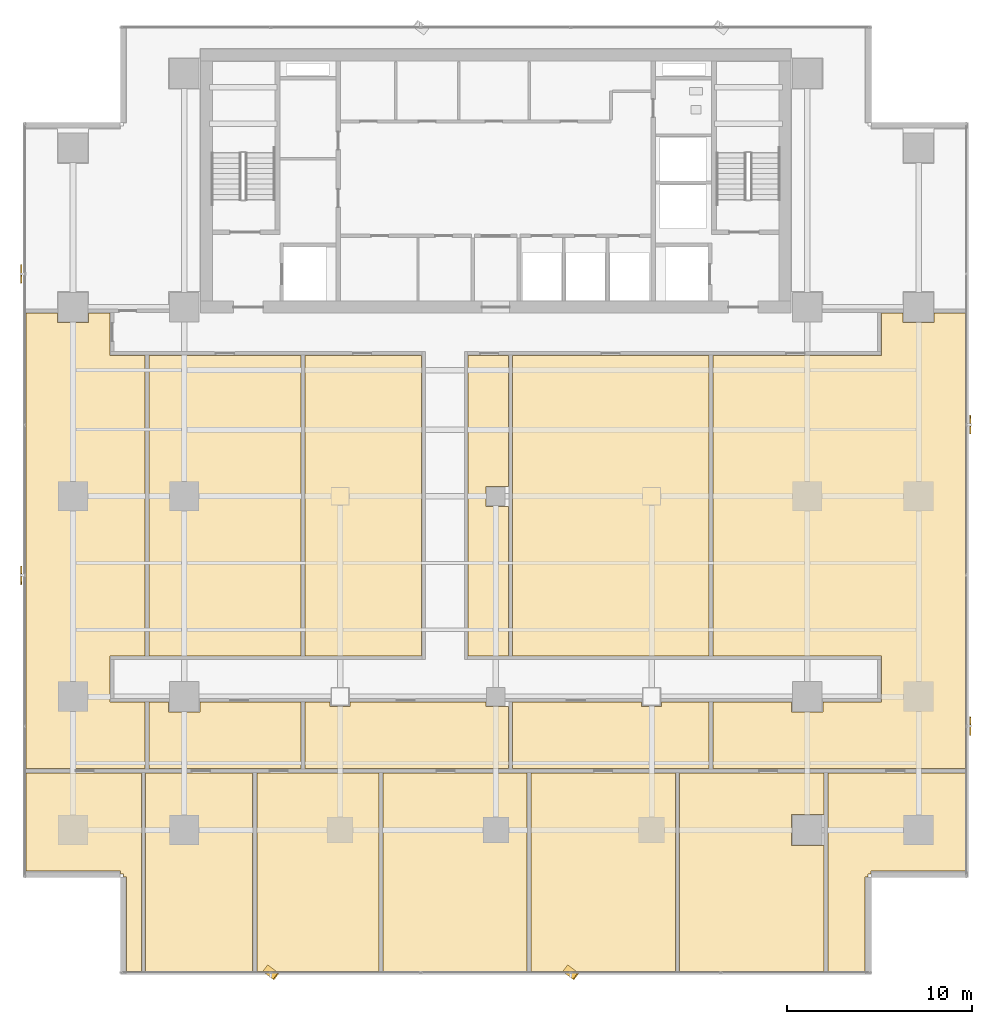
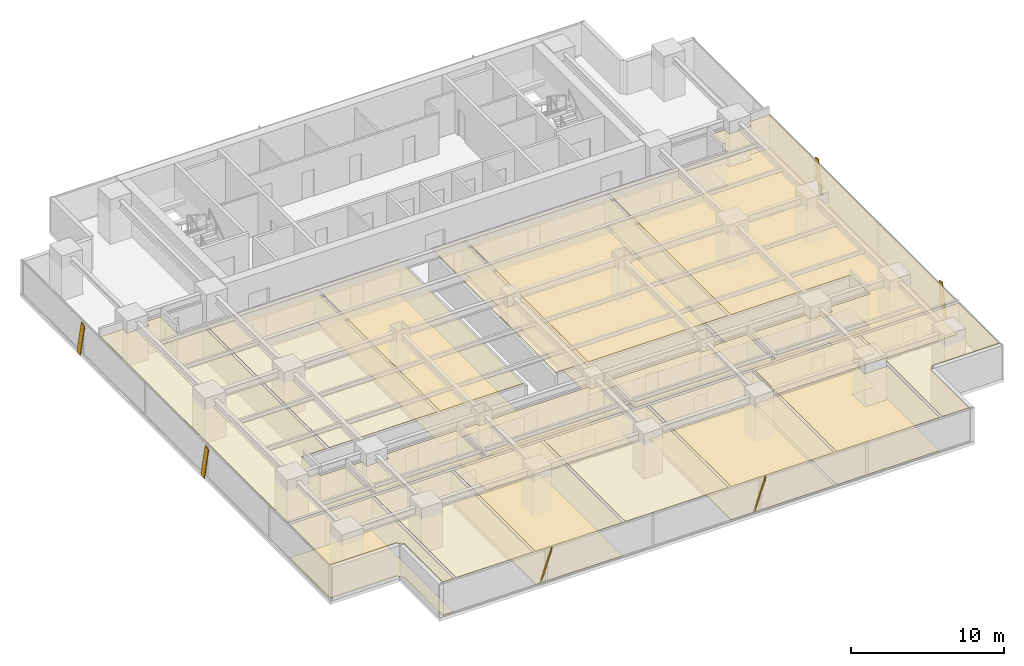
# One storey, part 32 of 36: 24 coverings, 6 shading devices.
"""IFC4 building model written with IfcOpenShell, lengths in metres."""

from ifc_helpers import new_model, si_unit, direction, frame, origin, origin_2d, place, context, subcontext, project, spatial, polyline, rectangle, outline, extrude, source, transform, mapped, material, layer, layer_set, material_profile, profile_set, type_object, element, save


model = new_model("IFC4")

# Units and contexts
model_context = context("Model", 3, precision=1e-05, world=origin(), true_north=direction((0.0, 1.0)))
body_context = subcontext(model_context, "Body", "Model", "MODEL_VIEW")
ifc_project = project(units=[si_unit("LENGTHUNIT", "METRE"), si_unit("AREAUNIT", "SQUARE_METRE"), si_unit("VOLUMEUNIT", "CUBIC_METRE"), si_unit("PLANEANGLEUNIT", "RADIAN"), si_unit("MASSUNIT", "GRAM", prefix="KILO")], contexts=[model_context])

# Site, building, storey
site_placement = place(None, origin())
site = spatial("IfcSite", under=ifc_project, at=site_placement, CompositionType="ELEMENT")
building_placement = place(site_placement, origin())
building = spatial("IfcBuilding", under=site, at=building_placement, Name="Sumidabori Civic Tower", CompositionType="ELEMENT")
storey_placement = place(building_placement, frame((0.0, 0.0, 120.800048828125)))
storey = spatial("IfcBuildingStorey", under=building, at=storey_placement, Name="L31", CompositionType="ELEMENT", Elevation=120.800048828125)

# Coverings
ifc_material_1 = material(Name="Perforated Timber Acoustic Ceiling", Category="wood")
ifc_layer_1 = layer(ifc_material_1, 0.044921875, Name="Perforated Timber Acoustic Ceiling")
ifc_layer_set_1 = layer_set([ifc_layer_1], Name="Perforated Timber Acoustic Ceiling")
covering_type_1 = type_object("IfcCoveringType", Name="CV-CEIL-AC2", PredefinedType="CEILING", material=ifc_layer_set_1)
covering_1_placement = place(storey_placement, frame((0.0, 0.0, 2.64990234375)))
element("IfcCovering", 1, at=covering_1_placement, inside=storey, type_object=covering_type_1, Name="Room Acoustic Ceiling L31-02", PredefinedType="CEILING", context=body_context, shape_type="SweptSolid", body=[
    extrude(outline(polyline([(-18.68994140625, 7.60009765625), (-10.510009765625, 7.60009765625), (-10.510009765625, -8.60009765625), (-18.68994140625, -8.60009765625), (-18.68994140625, 7.60009765625)])), origin(), (0.0, 0.0, 1.0), 0.045166015625),
])
covering_2_placement = place(storey_placement, frame((0.0, 0.0, 2.64990234375)))
element("IfcCovering", 2, at=covering_2_placement, inside=storey, type_object=covering_type_1, Name="Room Acoustic Ceiling L31-03", PredefinedType="CEILING", context=body_context, shape_type="SweptSolid", body=[
    extrude(outline(polyline([(-10.2900390625, 7.60009765625), (-4.0, 7.60009765625), (-4.0, -8.60009765625), (-10.2900390625, -8.60009765625), (-10.2900390625, 7.60009765625)])), origin(), (0.0, 0.0, 1.0), 0.045166015625),
])
covering_3_placement = place(storey_placement, frame((0.0, 0.0, 2.64990234375)))
element("IfcCovering", 3, at=covering_3_placement, inside=storey, type_object=covering_type_1, Name="Room Acoustic Ceiling L31-04", PredefinedType="CEILING", context=body_context, shape_type="SweptSolid", body=[
    extrude(outline(polyline([(-1.5, -8.60009765625), (-1.5, 7.60009765625), (0.68994140625, 7.60009765625), (0.68994140625, 0.5400390625), (-0.5400390625, 0.5400390625), (-0.5400390625, -0.5400390625), (0.68994140625, -0.5400390625), (0.68994140625, -8.60009765625), (-1.5, -8.60009765625)])), origin(), (0.0, 0.0, 1.0), 0.045166015625),
])
covering_4_placement = place(storey_placement, frame((0.0, 0.0, 2.64990234375)))
element("IfcCovering", 4, at=covering_4_placement, inside=storey, type_object=covering_type_1, Name="Room Acoustic Ceiling L31-05", PredefinedType="CEILING", context=body_context, shape_type="SweptSolid", body=[
    extrude(outline(polyline([(0.909912109375, -8.60009765625), (0.909912109375, 7.60009765625), (11.489990234375, 7.60009765625), (11.489990234375, -8.60009765625), (0.909912109375, -8.60009765625)])), origin(), (0.0, 0.0, 1.0), 0.045166015625),
])
covering_5_placement = place(storey_placement, frame((0.0, 0.0, 2.64990234375)))
element("IfcCovering", 5, at=covering_5_placement, inside=storey, type_object=covering_type_1, Name="Room Acoustic Ceiling L31-06", PredefinedType="CEILING", context=body_context, shape_type="SweptSolid", body=[
    extrude(outline(polyline([(-25.330078125, -14.68994140625), (-25.330078125, 9.889892578125), (-23.639892578125, 9.889892578125), (-23.639892578125, 9.360107421875), (-21.9599609375, 9.360107421875), (-21.9599609375, 9.889892578125), (-20.800048828125, 9.889892578125), (-20.800048828125, 7.60009765625), (-18.909912109375, 7.60009765625), (-18.909912109375, -8.60009765625), (-20.800048828125, -8.60009765625), (-20.800048828125, -11.10009765625), (-18.909912109375, -11.10009765625), (-18.909912109375, -14.68994140625), (-25.330078125, -14.68994140625)])), origin(), (0.0, 0.0, 1.0), 0.045166015625),
])
covering_6_placement = place(storey_placement, frame((0.0, 0.0, 2.64990234375)))
element("IfcCovering", 6, at=covering_6_placement, inside=storey, type_object=covering_type_1, Name="Room Acoustic Ceiling L31-07", PredefinedType="CEILING", context=body_context, shape_type="SweptSolid", body=[
    extrude(outline(polyline([(11.7099609375, -11.10009765625), (15.9599609375, -11.10009765625), (15.9599609375, -11.639892578125), (17.639892578125, -11.639892578125), (17.639892578125, -11.10009765625), (20.800048828125, -11.10009765625), (20.800048828125, -8.60009765625), (11.7099609375, -8.60009765625), (11.7099609375, 7.60009765625), (20.800048828125, 7.60009765625), (20.800048828125, 9.889892578125), (21.9599609375, 9.889892578125), (21.9599609375, 9.360107421875), (23.639892578125, 9.360107421875), (23.639892578125, 9.889892578125), (25.330078125, 9.889892578125), (25.330078125, -14.68994140625), (11.7099609375, -14.68994140625), (11.7099609375, -11.10009765625)])), origin(), (0.0, 0.0, 1.0), 0.045166015625),
])
covering_7_placement = place(storey_placement, frame((0.0, 0.0, 2.64990234375)))
element("IfcCovering", 7, at=covering_7_placement, inside=storey, type_object=covering_type_1, Name="Room Acoustic Ceiling L31-08", PredefinedType="CEILING", context=body_context, shape_type="SweptSolid", body=[
    extrude(outline(polyline([(-18.68994140625, -11.10009765625), (-17.639892578125, -11.10009765625), (-17.639892578125, -11.639892578125), (-15.9599609375, -11.639892578125), (-15.9599609375, -11.10009765625), (-10.510009765625, -11.10009765625), (-10.510009765625, -14.68994140625), (-18.68994140625, -14.68994140625), (-18.68994140625, -11.10009765625)])), origin(), (0.0, 0.0, 1.0), 0.045166015625),
])
covering_8_placement = place(storey_placement, frame((0.0, 0.0, 2.64990234375)))
element("IfcCovering", 8, at=covering_8_placement, inside=storey, type_object=covering_type_1, Name="Room Acoustic Ceiling L31-09", PredefinedType="CEILING", context=body_context, shape_type="SweptSolid", body=[
    extrude(outline(polyline([(-10.2900390625, -11.10009765625), (-8.93994140625, -11.10009765625), (-8.93994140625, -11.340087890625), (-7.860107421875, -11.340087890625), (-7.860107421875, -11.10009765625), (-0.5400390625, -11.10009765625), (-0.5400390625, -11.340087890625), (0.68994140625, -11.340087890625), (0.68994140625, -14.68994140625), (-10.2900390625, -14.68994140625), (-10.2900390625, -11.10009765625)])), origin(), (0.0, 0.0, 1.0), 0.045166015625),
])
covering_9_placement = place(storey_placement, frame((0.0, 0.0, 2.64990234375)))
element("IfcCovering", 9, at=covering_9_placement, inside=storey, type_object=covering_type_1, Name="Room Acoustic Ceiling L31-10", PredefinedType="CEILING", context=body_context, shape_type="SweptSolid", body=[
    extrude(outline(polyline([(0.909912109375, -11.10009765625), (7.860107421875, -11.10009765625), (7.860107421875, -11.340087890625), (8.93994140625, -11.340087890625), (8.93994140625, -11.10009765625), (11.489990234375, -11.10009765625), (11.489990234375, -14.68994140625), (0.909912109375, -14.68994140625), (0.909912109375, -11.10009765625)])), origin(), (0.0, 0.0, 1.0), 0.045166015625),
])
covering_10_placement = place(storey_placement, frame((0.0, 0.0, 2.64990234375)))
element("IfcCovering", 10, at=covering_10_placement, inside=storey, type_object=covering_type_1, Name="Room Acoustic Ceiling L31-11", PredefinedType="CEILING", context=body_context, shape_type="SweptSolid", body=[
    extrude(outline(polyline([(-19.110107421875, -14.909912109375), (-19.110107421875, -25.6298828125), (-19.922119140625, -25.6298828125), (-19.922119140625, -20.5419921875), (-20.080078125, -20.5419921875), (-20.080078125, -20.3798828125), (-20.241943359375, -20.3798828125), (-20.241943359375, -20.221923828125), (-25.330078125, -20.221923828125), (-25.330078125, -14.909912109375), (-19.110107421875, -14.909912109375)])), origin(), (0.0, 0.0, 1.0), 0.045166015625),
])
covering_11_placement = place(storey_placement, frame((0.0, 0.0, 2.64990234375)))
element("IfcCovering", 11, at=covering_11_placement, inside=storey, type_object=covering_type_1, Name="Room Acoustic Ceiling L31-12", PredefinedType="CEILING", context=body_context, shape_type="SweptSolid", body=[
    extrude(outline(polyline([(17.909912109375, -14.909912109375), (25.330078125, -14.909912109375), (25.330078125, -20.221923828125), (20.241943359375, -20.221923828125), (20.241943359375, -20.3798828125), (20.080078125, -20.3798828125), (20.080078125, -20.5419921875), (19.922119140625, -20.5419921875), (19.922119140625, -25.6298828125), (17.909912109375, -25.6298828125), (17.909912109375, -14.909912109375)])), origin(), (0.0, 0.0, 1.0), 0.045166015625),
])
covering_12_placement = place(storey_placement, frame((0.0, 0.0, 2.64990234375)))
element("IfcCovering", 12, at=covering_12_placement, inside=storey, type_object=covering_type_1, Name="Room Acoustic Ceiling L31-13", PredefinedType="CEILING", context=body_context, shape_type="SweptSolid", body=[
    extrude(outline(polyline([(-12.889892578125, -14.909912109375), (-6.31005859375, -14.909912109375), (-6.31005859375, -25.6298828125), (-12.889892578125, -25.6298828125), (-12.889892578125, -14.909912109375)])), origin(), (0.0, 0.0, 1.0), 0.045166015625),
])
covering_13_placement = place(storey_placement, frame((0.0, 0.0, 2.64990234375)))
element("IfcCovering", 13, at=covering_13_placement, inside=storey, type_object=covering_type_1, Name="Room Acoustic Ceiling L31-14", PredefinedType="CEILING", context=body_context, shape_type="SweptSolid", body=[
    extrude(outline(polyline([(-6.090087890625, -14.909912109375), (1.68994140625, -14.909912109375), (1.68994140625, -25.6298828125), (-6.090087890625, -25.6298828125), (-6.090087890625, -14.909912109375)])), origin(), (0.0, 0.0, 1.0), 0.045166015625),
])
covering_14_placement = place(storey_placement, frame((0.0, 0.0, 2.64990234375)))
element("IfcCovering", 14, at=covering_14_placement, inside=storey, type_object=covering_type_1, Name="Room Acoustic Ceiling L31-15", PredefinedType="CEILING", context=body_context, shape_type="SweptSolid", body=[
    extrude(outline(polyline([(1.909912109375, -14.909912109375), (9.68994140625, -14.909912109375), (9.68994140625, -25.6298828125), (1.909912109375, -25.6298828125), (1.909912109375, -14.909912109375)])), origin(), (0.0, 0.0, 1.0), 0.045166015625),
])
covering_15_placement = place(storey_placement, frame((0.0, 0.0, 2.64990234375)))
element("IfcCovering", 15, at=covering_15_placement, inside=storey, type_object=covering_type_1, Name="Room Acoustic Ceiling L31-16", PredefinedType="CEILING", context=body_context, shape_type="SweptSolid", body=[
    extrude(outline(polyline([(-18.889892578125, -14.909912109375), (-13.110107421875, -14.909912109375), (-13.110107421875, -25.6298828125), (-18.889892578125, -25.6298828125), (-18.889892578125, -14.909912109375)])), origin(), (0.0, 0.0, 1.0), 0.045166015625),
])
covering_16_placement = place(storey_placement, frame((0.0, 0.0, 2.64990234375)))
element("IfcCovering", 16, at=covering_16_placement, inside=storey, type_object=covering_type_1, Name="Room Acoustic Ceiling L31-17", PredefinedType="CEILING", context=body_context, shape_type="SweptSolid", body=[
    extrude(outline(polyline([(9.909912109375, -14.909912109375), (17.68994140625, -14.909912109375), (17.68994140625, -17.159912109375), (15.9599609375, -17.159912109375), (15.9599609375, -18.840087890625), (17.68994140625, -18.840087890625), (17.68994140625, -25.6298828125), (9.909912109375, -25.6298828125), (9.909912109375, -14.909912109375)])), origin(), (0.0, 0.0, 1.0), 0.045166015625),
])
ifc_material_2 = material(Name="Honed Terrazzo Tile Flooring")
ifc_layer_2 = layer(ifc_material_2, 0.030029296875, Name="Honed Terrazzo Tile Flooring")
ifc_layer_set_2 = layer_set([ifc_layer_2], Name="Honed Terrazzo Tile Flooring")
covering_type_2 = type_object("IfcCoveringType", Name="CV-FLR-TER", PredefinedType="FLOORING", material=ifc_layer_set_2)
covering_17_placement = place(storey_placement, origin())
element("IfcCovering", 17, at=covering_17_placement, inside=storey, type_object=covering_type_2, Name="Room Terrazzo Floor L31-03", PredefinedType="FLOORING", context=body_context, shape_type="SweptSolid", body=[
    extrude(outline(polyline([(-10.2900390625, 7.60009765625), (-4.0, 7.60009765625), (-4.0, -8.60009765625), (-10.2900390625, -8.60009765625), (-10.2900390625, 7.60009765625)])), origin(), (0.0, 0.0, 1.0), 0.030029296875),
])
covering_18_placement = place(storey_placement, origin())
element("IfcCovering", 18, at=covering_18_placement, inside=storey, type_object=covering_type_2, Name="Room Terrazzo Floor L31-05", PredefinedType="FLOORING", context=body_context, shape_type="SweptSolid", body=[
    extrude(outline(polyline([(0.909912109375, -8.60009765625), (0.909912109375, 7.60009765625), (11.489990234375, 7.60009765625), (11.489990234375, -8.60009765625), (0.909912109375, -8.60009765625)])), origin(), (0.0, 0.0, 1.0), 0.030029296875),
])
covering_19_placement = place(storey_placement, origin())
element("IfcCovering", 19, at=covering_19_placement, inside=storey, type_object=covering_type_2, Name="Room Terrazzo Floor L31-07", PredefinedType="FLOORING", context=body_context, shape_type="SweptSolid", body=[
    extrude(outline(polyline([(11.7099609375, -11.10009765625), (15.9599609375, -11.10009765625), (15.9599609375, -11.639892578125), (17.639892578125, -11.639892578125), (17.639892578125, -11.10009765625), (20.800048828125, -11.10009765625), (20.800048828125, -8.60009765625), (11.7099609375, -8.60009765625), (11.7099609375, 7.60009765625), (20.800048828125, 7.60009765625), (20.800048828125, 9.889892578125), (21.9599609375, 9.889892578125), (21.9599609375, 9.360107421875), (23.639892578125, 9.360107421875), (23.639892578125, 9.889892578125), (25.330078125, 9.889892578125), (25.330078125, -14.68994140625), (11.7099609375, -14.68994140625), (11.7099609375, -11.10009765625)])), origin(), (0.0, 0.0, 1.0), 0.030029296875),
])
covering_20_placement = place(storey_placement, origin())
element("IfcCovering", 20, at=covering_20_placement, inside=storey, type_object=covering_type_2, Name="Room Terrazzo Floor L31-09", PredefinedType="FLOORING", context=body_context, shape_type="SweptSolid", body=[
    extrude(outline(polyline([(-10.2900390625, -11.10009765625), (-8.93994140625, -11.10009765625), (-8.93994140625, -11.340087890625), (-7.860107421875, -11.340087890625), (-7.860107421875, -11.10009765625), (-0.5400390625, -11.10009765625), (-0.5400390625, -11.340087890625), (0.68994140625, -11.340087890625), (0.68994140625, -14.68994140625), (-10.2900390625, -14.68994140625), (-10.2900390625, -11.10009765625)])), origin(), (0.0, 0.0, 1.0), 0.030029296875),
])
covering_21_placement = place(storey_placement, origin())
element("IfcCovering", 21, at=covering_21_placement, inside=storey, type_object=covering_type_2, Name="Room Terrazzo Floor L31-11", PredefinedType="FLOORING", context=body_context, shape_type="SweptSolid", body=[
    extrude(outline(polyline([(-19.110107421875, -14.909912109375), (-19.110107421875, -25.6298828125), (-19.922119140625, -25.6298828125), (-19.922119140625, -20.5419921875), (-20.080078125, -20.5419921875), (-20.080078125, -20.3798828125), (-20.241943359375, -20.3798828125), (-20.241943359375, -20.221923828125), (-25.330078125, -20.221923828125), (-25.330078125, -14.909912109375), (-19.110107421875, -14.909912109375)])), origin(), (0.0, 0.0, 1.0), 0.030029296875),
])
covering_22_placement = place(storey_placement, origin())
element("IfcCovering", 22, at=covering_22_placement, inside=storey, type_object=covering_type_2, Name="Room Terrazzo Floor L31-13", PredefinedType="FLOORING", context=body_context, shape_type="SweptSolid", body=[
    extrude(outline(polyline([(-12.889892578125, -14.909912109375), (-6.31005859375, -14.909912109375), (-6.31005859375, -25.6298828125), (-12.889892578125, -25.6298828125), (-12.889892578125, -14.909912109375)])), origin(), (0.0, 0.0, 1.0), 0.030029296875),
])
covering_23_placement = place(storey_placement, origin())
element("IfcCovering", 23, at=covering_23_placement, inside=storey, type_object=covering_type_2, Name="Room Terrazzo Floor L31-15", PredefinedType="FLOORING", context=body_context, shape_type="SweptSolid", body=[
    extrude(outline(polyline([(1.909912109375, -14.909912109375), (9.68994140625, -14.909912109375), (9.68994140625, -25.6298828125), (1.909912109375, -25.6298828125), (1.909912109375, -14.909912109375)])), origin(), (0.0, 0.0, 1.0), 0.030029296875),
])
covering_24_placement = place(storey_placement, origin())
element("IfcCovering", 24, at=covering_24_placement, inside=storey, type_object=covering_type_2, Name="Room Terrazzo Floor L31-17", PredefinedType="FLOORING", context=body_context, shape_type="SweptSolid", body=[
    extrude(outline(polyline([(9.909912109375, -14.909912109375), (17.68994140625, -14.909912109375), (17.68994140625, -17.159912109375), (15.9599609375, -17.159912109375), (15.9599609375, -18.840087890625), (17.68994140625, -18.840087890625), (17.68994140625, -25.6298828125), (9.909912109375, -25.6298828125), (9.909912109375, -14.909912109375)])), origin(), (0.0, 0.0, 1.0), 0.030029296875),
])

# Shading devices
ifc_material_3 = material(Name="Anodised Bronze Aluminium AW-6063-T6", Category="aluminium")
ifc_material_profile = material_profile(ifc_material_3, rectangle(XDim=0.06005859375, YDim=0.449951171875, at=origin_2d()), Name="BRONZE FIN 450x60")
ifc_profile_set = profile_set([ifc_material_profile], Name="Anodised Bronze Aluminium AW-6063-T6")
shading_device_type = type_object("IfcShadingDeviceType", Name="SH-FIN-450", PredefinedType="USERDEFINED", material=ifc_profile_set)
shared_shape_1 = source(origin(), body_context, "Body", "SweptSolid", [
    extrude(rectangle(XDim=0.06005859375, YDim=0.449951171875, at=origin_2d()), origin(), (0.0, 0.0, 1.0), 2.678955078125),
])
for number, where, z_axis, x_axis, name in (
    (25, (25.590087890625, -12.672119140625, 0.02001953125), (0.0, 0.209049858542, 0.977904983443), (-1.0, 0.0, 0.0), "Bronze Anodised Diagonal Fin L31-01"),
    (26, (25.590087890625, 3.583984375, 0.02001953125), (0.0, 0.209049858542, 0.977904983443), (-1.0, 0.0, 0.0), "Bronze Anodised Diagonal Fin L31-03"),
    (27, (-25.590087890625, 12.27197265625, 0.02001953125), (0.0, -0.209049858542, 0.977904983443), (-1.0, 0.0, 0.0), "Bronze Anodised Diagonal Fin L31-01"),
    (28, (-25.590087890625, -3.98388671875, 0.02001953125), (0.0, -0.209049858542, 0.977904983443), (-1.0, 0.0, 0.0), "Bronze Anodised Diagonal Fin L31-03"),
):
    element("IfcShadingDevice", number, at=place(storey_placement, frame(where, z_axis=z_axis, x_axis=x_axis)), inside=storey, type_object=shading_device_type, Name=name, ObjectType="FIN", PredefinedType="USERDEFINED", context=body_context, shape_type="MappedRepresentation", body=[
        mapped(shared_shape_1, transform((0.0, 0.0, 0.0), x_axis=(1.0, 0.0, 0.0), y_axis=(0.0, 1.0, 0.0), z_axis=(0.0, 0.0, 1.0), scale=1.0)),
    ])
shared_shape_2 = source(origin(), body_context, "Body", "SweptSolid", [
    extrude(rectangle(XDim=0.06005859375, YDim=0.449951171875, at=origin_2d()), origin(), (0.0, 0.0, 1.0), 2.711669921875),
])
for number, where, z_axis, x_axis, name in (
    (29, (-12.412109375, -25.469970703125, 0.02001953125), (0.206528258987, -0.154851179363, 0.966109305664), (0.772968305533, -0.579557753059, -0.258133317319), "Bronze Anodised Diagonal Fin L31-01"),
    (30, (3.763916015625, -25.469970703125, 0.02001953125), (0.206528258987, -0.154851179363, 0.966109305664), (0.772968305533, -0.579557753059, -0.258133317319), "Bronze Anodised Diagonal Fin L31-03"),
):
    element("IfcShadingDevice", number, at=place(storey_placement, frame(where, z_axis=z_axis, x_axis=x_axis)), inside=storey, type_object=shading_device_type, Name=name, ObjectType="FIN", PredefinedType="USERDEFINED", context=body_context, shape_type="MappedRepresentation", body=[
        mapped(shared_shape_2, transform((0.0, 0.0, 0.0), x_axis=(1.0, 0.0, 0.0), y_axis=(0.0, 1.0, 0.0), z_axis=(0.0, 0.0, 1.0), scale=1.0)),
    ])

save(model, "model.ifc")
